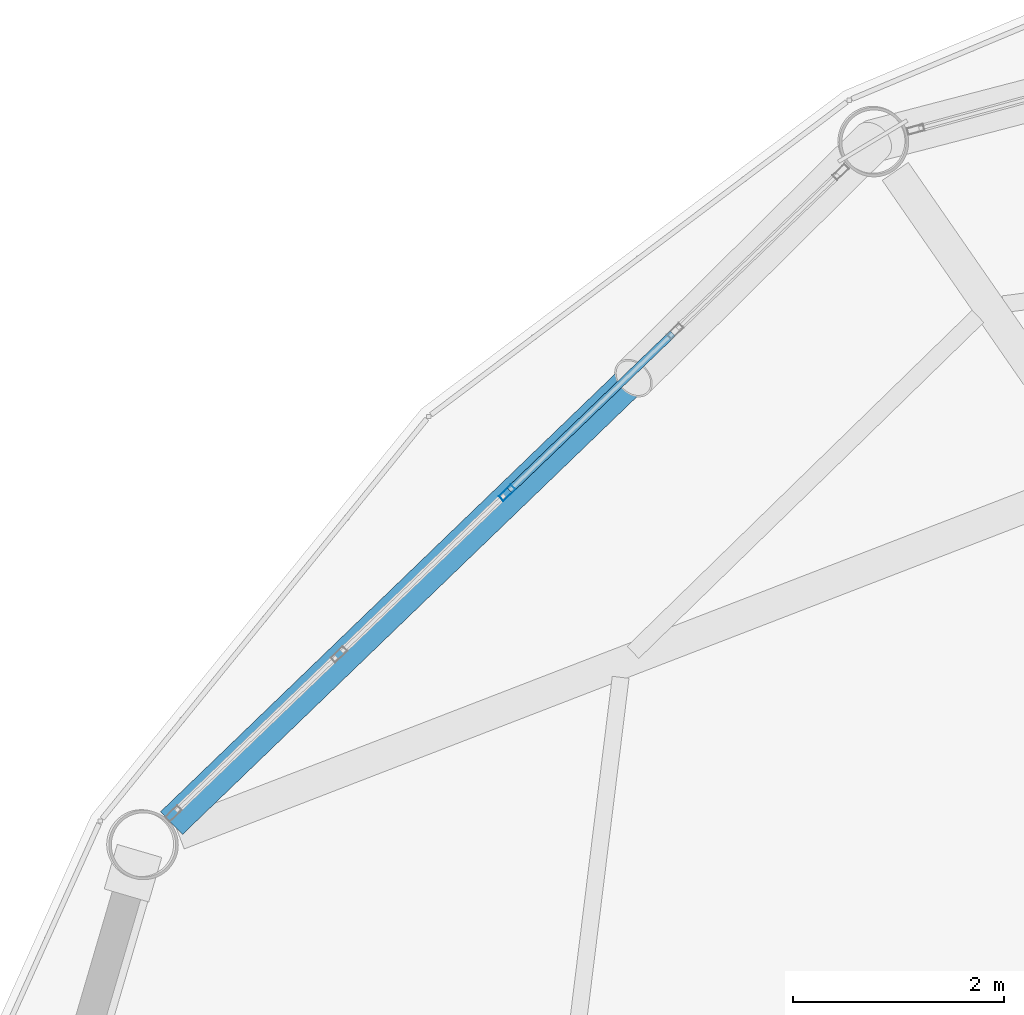
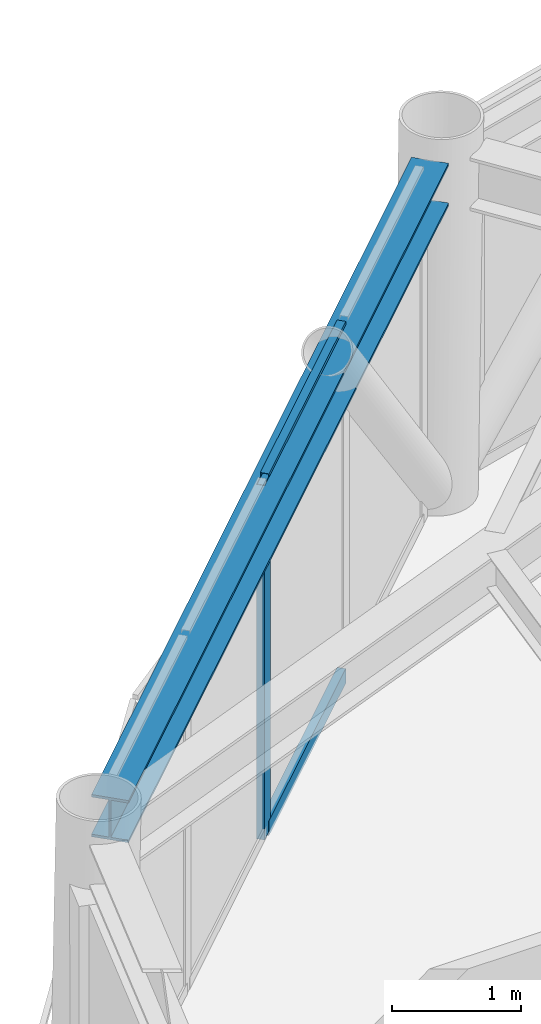
# One storey, part 13 of 28: 3 members, 1 beam, 1 element without a shape of its own.
"""IFC4 building model written with IfcOpenShell, lengths in metres."""

from ifc_helpers import new_model, si_unit, direction, frame, origin, origin_2d, place, context, subcontext, project, spatial, hollow_rectangle, i_section, extrude, material, layer, layer_set, material_profile, profile_set, type_object, element, aggregate, save


model = new_model("IFC4")

# Units and contexts
model_context = context("Model", 3, precision=1e-05, world=origin(), true_north=direction((0.0, 1.0)))
body_context = subcontext(model_context, "Body", "Model", "MODEL_VIEW")
ifc_project = project(units=[si_unit("LENGTHUNIT", "METRE"), si_unit("AREAUNIT", "SQUARE_METRE"), si_unit("VOLUMEUNIT", "CUBIC_METRE"), si_unit("PLANEANGLEUNIT", "RADIAN"), si_unit("MASSUNIT", "GRAM", prefix="KILO")], contexts=[model_context])

# Site, building, storey
site_placement = place(None, origin())
site = spatial("IfcSite", under=ifc_project, at=site_placement, CompositionType="ELEMENT")
building_placement = place(site_placement, origin())
building = spatial("IfcBuilding", under=site, at=building_placement, Name="Varnakorn Sky Granary", CompositionType="ELEMENT")
storey_placement = place(building_placement, frame((0.0, 0.0, 214.800048828125)))
storey = spatial("IfcBuildingStorey", under=building, at=storey_placement, Name="L54", CompositionType="ELEMENT", Elevation=214.800048828125)

# Beam
ifc_material_1 = material(Name="Steel S355JR", Category="steel")
ifc_material_profile_1 = material_profile(ifc_material_1, i_section(OverallWidth=0.300048828125, OverallDepth=0.39990234375, WebThickness=0.013427734375, FlangeThickness=0.02392578125, at=origin_2d()), Name="HE 400 B")
ifc_profile_set_1 = profile_set([ifc_material_profile_1], Name="Steel S355JR")
beam_type = type_object("IfcBeamType", Name="BM-SPD-Z4", PredefinedType="SPANDREL", material=ifc_profile_set_1)
beam_placement = place(storey_placement, frame((-4.827880859375, 15.551025390625, 3.159912109375), z_axis=(-0.720174244008, -0.693793238846, 0.0), x_axis=(0.693793238846, -0.720174244008, 0.0)))
element("IfcBeam", 1, at=beam_placement, inside=storey, type_object=beam_type, Name="Perimeter Spandrel Ring Beam RB05 L54", PredefinedType="SPANDREL", context=body_context, shape_type="SweptSolid", body=[
    extrude(i_section(OverallWidth=0.300048828125, OverallDepth=0.39990234375, WebThickness=0.013427734375, FlangeThickness=0.02392578125, at=origin_2d()), origin(), (0.0, 0.0, 1.0), 8.976806640625),
])

# Curtain wall, members
ifc_material_2 = material(Name="Anodised Bronze Aluminium Alloy 6063-T6", Category="aluminium")
ifc_layer = layer(ifc_material_2, 0.169921875, Name="Anodised Bronze Aluminium Alloy 6063-T6")
ifc_layer_set = layer_set([ifc_layer], Name="Anodised Bronze Aluminium Alloy 6063-T6")
curtain_wall_type = type_object("IfcCurtainWallType", Name="CW-LAB-1", PredefinedType="USERDEFINED", material=ifc_layer_set)
curtain_wall_placement = place(storey_placement, origin())
curtain_wall = element("IfcCurtainWall", 2, at=curtain_wall_placement, inside=storey, type_object=curtain_wall_type, Name="Unitised Curtain Wall CW5 CW-L54-B05", ObjectType="CURTAIN WALL", PredefinedType="USERDEFINED")
ifc_material_profile_2 = material_profile(ifc_material_2, hollow_rectangle(XDim=0.06494140625, YDim=0.159912109375, WallThickness=0.00341796875, at=origin_2d()), Name="ALU MULL 65x160")
ifc_profile_set_2 = profile_set([ifc_material_profile_2], Name="Anodised Bronze Aluminium Alloy 6063-T6")
member_type_1 = type_object("IfcMemberType", Name="CW-LAB-1-MULL", PredefinedType="MULLION", material=ifc_profile_set_2)
member_1_placement = place(storey_placement, frame((-8.106689453125, 12.45947265625, 0.0), z_axis=(0.0, 0.0, 1.0), x_axis=(-0.693140093091, 0.72080289355, 0.0)))
member_1 = element("IfcMember", 3, at=member_1_placement, type_object=member_type_1, Name="CW5 mullion 3", PredefinedType="MULLION", context=body_context, shape_type="SweptSolid", body=[
    extrude(hollow_rectangle(XDim=0.06494140625, YDim=0.159912109375, WallThickness=0.00341796875, at=origin_2d()), origin(), (0.0, 0.0, 1.0), 3.35986328125),
])
ifc_material_profile_3 = material_profile(ifc_material_2, hollow_rectangle(XDim=0.070068359375, YDim=0.139892578125, WallThickness=0.00341796875, at=origin_2d()), Name="ALU TRAN 70x140")
ifc_profile_set_3 = profile_set([ifc_material_profile_3], Name="Anodised Bronze Aluminium Alloy 6063-T6")
member_type_2 = type_object("IfcMemberType", Name="CW-LAB-1-TRAN", PredefinedType="USERDEFINED", material=ifc_profile_set_3)
member_2_placement = place(storey_placement, frame((-8.083251953125, 12.48193359375, 0.034912109375), z_axis=(0.720723867839, 0.693222263295, 0.0), x_axis=(-0.693222263295, 0.720723867839, 0.0)))
member_2 = element("IfcMember", 4, at=member_2_placement, type_object=member_type_2, Name="CW5 transom 3.1", ObjectType="TRANSOM", PredefinedType="USERDEFINED", context=body_context, shape_type="SweptSolid", body=[
    extrude(hollow_rectangle(XDim=0.070068359375, YDim=0.139892578125, WallThickness=0.00341796875, at=origin_2d()), origin(), (0.0, 0.0, 1.0), 2.148193359375),
])
member_3_placement = place(storey_placement, frame((-8.083251953125, 12.48193359375, 3.324951171875), z_axis=(0.720723867839, 0.693222263295, 0.0), x_axis=(-0.693222263295, 0.720723867839, 0.0)))
member_3 = element("IfcMember", 5, at=member_3_placement, type_object=member_type_2, Name="CW5 transom 3.2", ObjectType="TRANSOM", PredefinedType="USERDEFINED", context=body_context, shape_type="SweptSolid", body=[
    extrude(hollow_rectangle(XDim=0.070068359375, YDim=0.139892578125, WallThickness=0.00341796875, at=origin_2d()), origin(), (0.0, 0.0, 1.0), 2.148193359375),
])
aggregate(curtain_wall, [member_1, member_2, member_3])

save(model, "model.ifc")
